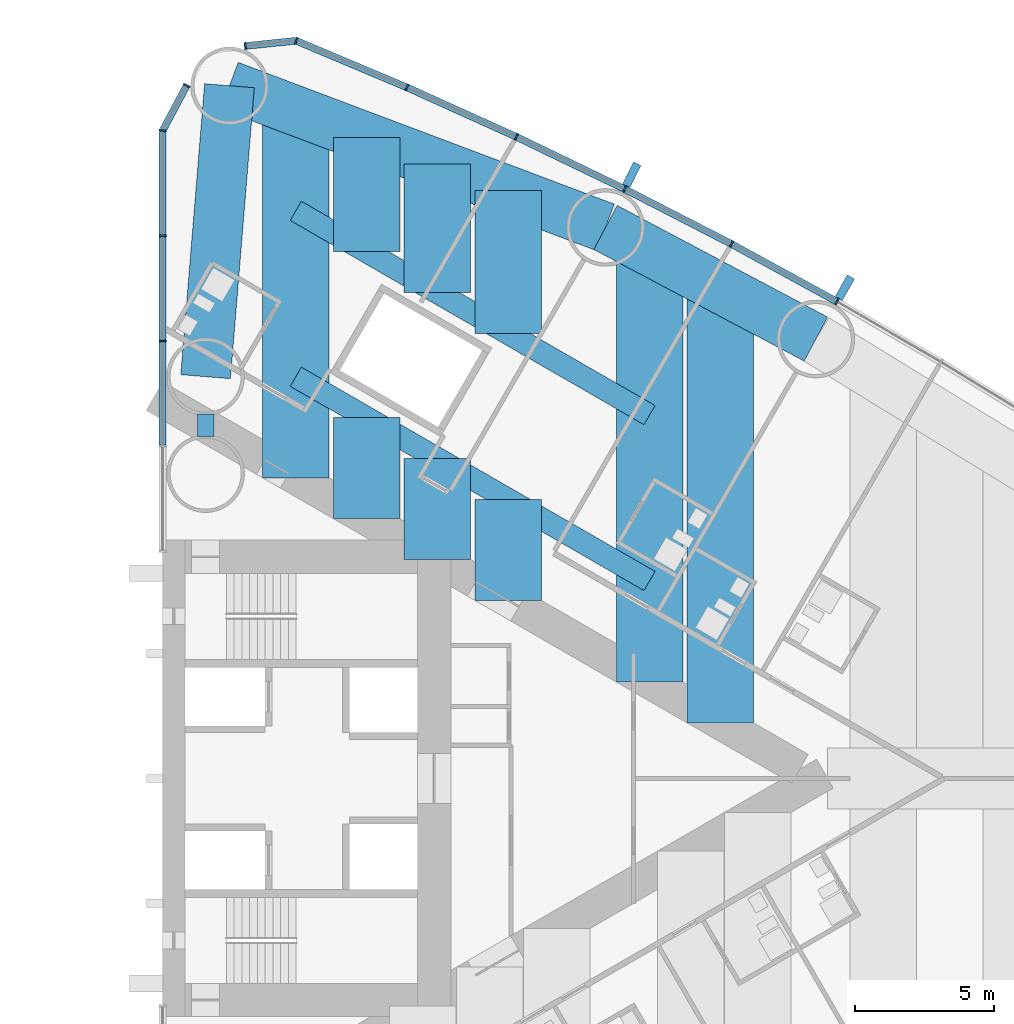
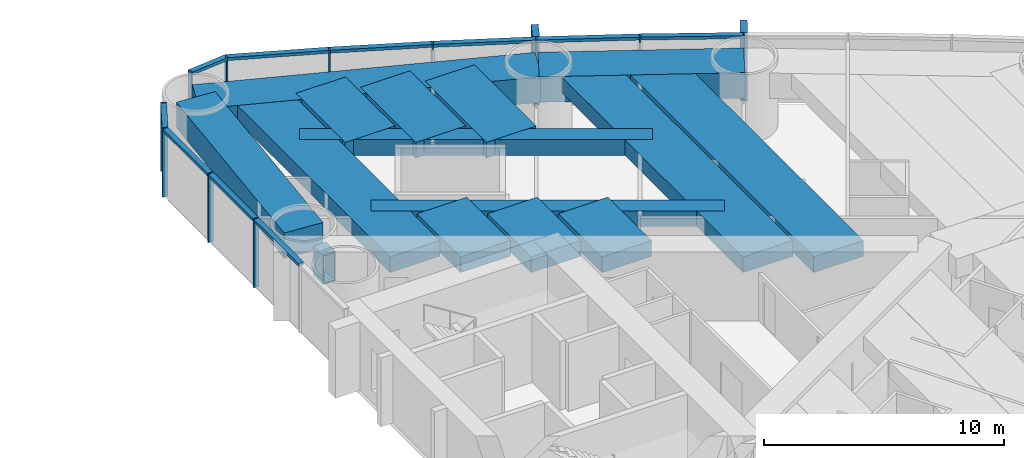
# One storey, part 7 of 19: 23 members, 15 beams, 2 elements without a shape of their own.
"""IFC4 building model written with IfcOpenShell, lengths in metres."""

import ifcopenshell
import ifcopenshell.guid

model = None  # the IFC model being written
_history = None  # IfcOwnerHistory: only IFC2X3 demands one
_inside = {}  # id of a spatial element -> (the spatial element, [elements in it])
_under = {}  # id of a project, library or spatial element -> (it, [spatial elements below it])
_declared = {}  # id of a project -> (the project, [libraries it declares])
_typed = {}  # id of a type object -> (the type object, [elements of that type])
_made_of = {}  # id of a material, layer set ... -> (it, [elements and type objects made of it])


def new_model(schema):
    """Start an empty IFC model of exactly this schema.

    Asked for "IFC4X3", IfcOpenShell would pick the latest addendum, in which some entities
    have other attributes; the version numbers below select the first issue.
    IFC2X3 requires an IfcOwnerHistory on every rooted entity: one is made here for all.
    """
    global model, _history
    if schema == "IFC4X3":
        model = ifcopenshell.file(schema_version=(4, 3, 0, 0))
    else:
        model = ifcopenshell.file(schema=schema)
    _inside.clear()
    _under.clear()
    _declared.clear()
    _typed.clear()
    _made_of.clear()
    _history = None
    if model.schema == "IFC2X3":
        org = make("IfcOrganization", Name="unknown")
        user = make(
            "IfcPersonAndOrganization",
            ThePerson=make("IfcPerson", FamilyName="unknown"),
            TheOrganization=org,
        )
        app = make(
            "IfcApplication",
            ApplicationDeveloper=org,
            Version="unknown",
            ApplicationFullName="unknown",
            ApplicationIdentifier="unknown",
        )
        _history = make(
            "IfcOwnerHistory",
            OwningUser=user,
            OwningApplication=app,
            ChangeAction="ADDED",
            CreationDate=0,
        )
    return model


def make(cls, **values):
    """One entity of the class cls with the attributes given. An attribute that is None is left unset."""
    return model.create_entity(
        cls, **{name: value for name, value in values.items() if value is not None}
    )


def rooted(cls, **values):
    """An entity with a GlobalId (a new one), such as an element, a storey or a relation."""
    return make(cls, GlobalId=ifcopenshell.guid.new(), OwnerHistory=_history, **values)


def si_unit(unit_type, name, prefix=None):
    """IfcSIUnit, for example si_unit("LENGTHUNIT", "METRE", prefix="MILLI")."""
    return make("IfcSIUnit", UnitType=unit_type, Prefix=prefix, Name=name)


def assignment(units):
    """IfcUnitAssignment: the units of a project."""
    return None if units is None else make("IfcUnitAssignment", Units=units)


def point(xyz):
    """IfcCartesianPoint."""
    return None if xyz is None else make("IfcCartesianPoint", Coordinates=xyz)


def direction(xyz):
    """IfcDirection."""
    return None if xyz is None else make("IfcDirection", DirectionRatios=xyz)


def frame(location, z_axis=None, x_axis=None):
    """IfcAxis2Placement3D, a coordinate frame: its origin and axes. An axis left out is left unset."""
    return make(
        "IfcAxis2Placement3D",
        Location=point(location),
        Axis=direction(z_axis),
        RefDirection=direction(x_axis),
    )


def frame_2d(location, x_axis=None):
    """IfcAxis2Placement2D, a coordinate frame in the plane: its origin and x axis."""
    return make(
        "IfcAxis2Placement2D", Location=point(location), RefDirection=direction(x_axis)
    )


def origin():
    """The frame at (0, 0, 0) with its axes left unset."""
    return frame((0.0, 0.0, 0.0))


def origin_2d():
    """The frame at (0, 0) in the plane with its x axis left unset."""
    return frame_2d((0.0, 0.0))


def place(relative_to, where):
    """IfcLocalPlacement: puts the frame where relative to a parent placement (None: the world)."""
    return make(
        "IfcLocalPlacement", PlacementRelTo=relative_to, RelativePlacement=where
    )


def context(
    kind, dimensions, precision=None, world=None, true_north=None, identifier=None
):
    """IfcGeometricRepresentationContext, for example the 3D "Model" context."""
    return make(
        "IfcGeometricRepresentationContext",
        ContextIdentifier=identifier,
        ContextType=kind,
        CoordinateSpaceDimension=dimensions,
        Precision=precision,
        WorldCoordinateSystem=world,
        TrueNorth=true_north,
    )


def subcontext(parent, identifier, kind, view, scale=None):
    """IfcGeometricRepresentationSubContext, for example "Body" below "Model"."""
    return make(
        "IfcGeometricRepresentationSubContext",
        ContextIdentifier=identifier,
        ContextType=kind,
        ParentContext=parent,
        TargetScale=scale,
        TargetView=view,
    )


def project(units=None, contexts=None):
    """IfcProject with its units and contexts."""
    return rooted(
        "IfcProject",
        Name="project",
        RepresentationContexts=contexts,
        UnitsInContext=assignment(units),
    )


def spatial(cls, under=None, at=None, **own):
    """A site, building, storey or space (cls), placed at a placement, below another one or the project."""
    s = rooted(cls, ObjectPlacement=at, **own)
    if under is not None:
        _under.setdefault(under.id(), (under, []))[1].append(s)
    return s


def profile(cls, at=None, kind="AREA", **sizes):
    """A parametric profile (cls). Its sizes go by their IFC names, for example OverallWidth=200.0."""
    return make(cls, ProfileType=kind, Position=at, **sizes)


def rectangle(**sizes):
    """IfcRectangleProfileDef."""
    return profile("IfcRectangleProfileDef", **sizes)


def hollow_rectangle(**sizes):
    """IfcRectangleHollowProfileDef."""
    return profile("IfcRectangleHollowProfileDef", **sizes)


def extrude(swept, where, along, depth):
    """IfcExtrudedAreaSolid: the profile swept, set in the frame where, extruded along a direction by depth."""
    return make(
        "IfcExtrudedAreaSolid",
        SweptArea=swept,
        Position=where,
        ExtrudedDirection=direction(along),
        Depth=depth,
    )


def shape(context_of_items, identifier, shape_type, items):
    """IfcShapeRepresentation: the items that make up one representation, for example the "Body"."""
    return make(
        "IfcShapeRepresentation",
        ContextOfItems=context_of_items,
        RepresentationIdentifier=identifier,
        RepresentationType=shape_type,
        Items=items,
    )


def material(Name=None, Category=None):
    """IfcMaterial."""
    return make("IfcMaterial", Name=Name, Category=Category)


def material_profile(
    of_material, cross_section, Name=None, Category=None, Priority=None
):
    """IfcMaterialProfile: a cross section and its material."""
    return make(
        "IfcMaterialProfile",
        Name=Name,
        Material=of_material,
        Profile=cross_section,
        Priority=Priority,
        Category=Category,
    )


def profile_set(profiles, Name=None, composite=None):
    """IfcMaterialProfileSet."""
    return make(
        "IfcMaterialProfileSet",
        Name=Name,
        MaterialProfiles=profiles,
        CompositeProfile=composite,
    )


def made_of(thing, what):
    """Note that an element or type object is made of a material, layer set ...; save() writes the relation."""
    if what is not None:
        _made_of.setdefault(what.id(), (what, []))[1].append(thing)
    return thing


def type_object(cls, material=None, **own):
    """A type object (cls), such as IfcWallType, which elements share."""
    return made_of(rooted(cls, **own), material)


def element(
    cls,
    number,
    at=None,
    inside=None,
    cuts=None,
    type_object=None,
    material=None,
    context=None,
    identifier="Body",
    shape_type=None,
    held_by="IfcProductDefinitionShape",
    body=None,
    shapes=None,
    **own,
):
    """One element of the class cls, such as IfcWall. Its Tag is "e" and its number.

    at: its placement. inside: the storey or other place that contains it. cuts: it is an
    opening in that element (IfcRelVoidsElement). A single representation is given by context,
    identifier, shape_type and body (its items); several are given by shapes. held_by: the class
    of the entity that holds the representations. save() writes the other relations.
    """
    e = rooted(cls, Tag="e%d" % number, ObjectPlacement=at, **own)
    if body is not None:
        shapes = [shape(context, identifier, shape_type, body)]
    if shapes is not None:
        e.Representation = make(held_by, Representations=shapes)
    if inside is not None:
        _inside.setdefault(inside.id(), (inside, []))[1].append(e)
    if cuts is not None:
        rooted(
            "IfcRelVoidsElement", RelatingBuildingElement=cuts, RelatedOpeningElement=e
        )
    if type_object is not None:
        _typed.setdefault(type_object.id(), (type_object, []))[1].append(e)
    return made_of(e, material)


def aggregate(whole, parts):
    """IfcRelAggregates: a whole, such as a stair, and the parts it consists of."""
    return rooted("IfcRelAggregates", RelatingObject=whole, RelatedObjects=parts)


def save(model, path):
    """Write the relations noted so far, then the file.

    IfcRelAggregates (storeys below a building ...), IfcRelContainedInSpatialStructure (elements
    in a storey), IfcRelDefinesByType, IfcRelAssociatesMaterial and IfcRelDeclares: one each for
    every whole, place, type object, material and project.
    """
    for whole, parts in _under.values():
        aggregate(whole, parts)
    for where, things in _inside.values():
        rooted(
            "IfcRelContainedInSpatialStructure",
            RelatedElements=things,
            RelatingStructure=where,
        )
    for kind, things in _typed.values():
        rooted("IfcRelDefinesByType", RelatedObjects=things, RelatingType=kind)
    for what, things in _made_of.values():
        rooted("IfcRelAssociatesMaterial", RelatedObjects=things, RelatingMaterial=what)
    for by, libraries in _declared.values():
        rooted("IfcRelDeclares", RelatingContext=by, RelatedDefinitions=libraries)
    model.write(path)


model = new_model("IFC4")

# Units and contexts
model_context = context("Model", 3, precision=1e-05, world=origin(), true_north=direction((0.0, 1.0)))
body_context = subcontext(model_context, "Body", "Model", "MODEL_VIEW")
ifc_project = project(units=[si_unit("LENGTHUNIT", "METRE"), si_unit("AREAUNIT", "SQUARE_METRE"), si_unit("VOLUMEUNIT", "CUBIC_METRE"), si_unit("PLANEANGLEUNIT", "RADIAN"), si_unit("MASSUNIT", "GRAM", prefix="KILO")], contexts=[model_context])

# Site, building, storey
site_placement = place(None, origin())
site = spatial("IfcSite", under=ifc_project, at=site_placement, CompositionType="ELEMENT")
building_placement = place(site_placement, origin())
building = spatial("IfcBuilding", under=site, at=building_placement, Name="Lancet Gate Hotel", CompositionType="ELEMENT")
storey_placement = place(building_placement, frame((0.0, 0.0, 35.5)))
storey = spatial("IfcBuildingStorey", under=building, at=storey_placement, Name="L08", CompositionType="ELEMENT", Elevation=35.5)

# Curtain wall, members
ifc_material_1 = material(Name="Aluminium curtain wall", Category="aluminium")
curtain_wall_type = type_object("IfcCurtainWallType", Name="Tower unitised curtain wall", PredefinedType="USERDEFINED", material=ifc_material_1)
curtain_wall_1_placement = place(storey_placement, origin())
curtain_wall_1 = element("IfcCurtainWall", 1, at=curtain_wall_1_placement, inside=storey, type_object=curtain_wall_type, Name="T2 L08 curtain wall 3", ObjectType="UNITISED CURTAIN WALL", PredefinedType="USERDEFINED")
ifc_material_2 = material(Name="Aluminium mullion", Category="aluminium")
ifc_material_profile_1 = material_profile(ifc_material_2, rectangle(XDim=0.06494140625, YDim=0.25, at=origin_2d()), Name="MULLION 65x250")
ifc_profile_set_1 = profile_set([ifc_material_profile_1], Name="Aluminium mullion")
member_type_1 = type_object("IfcMemberType", Name="Aluminium mullion 65x250", PredefinedType="MULLION", material=ifc_profile_set_1)
member_1_placement = place(storey_placement, frame((51.838623046875, 17.208740234375, 0.0), z_axis=(0.0, 0.0, 1.0), x_axis=(-0.871190450382, 0.490945209941, 0.0)))
member_1 = element("IfcMember", 2, at=member_1_placement, type_object=member_type_1, Name="T2 L08 curtain wall 3 mullion 8", PredefinedType="MULLION", context=body_context, shape_type="SweptSolid", body=[
    extrude(rectangle(XDim=0.06494140625, YDim=0.25, at=origin_2d()), origin(), (0.0, 0.0, 1.0), 3.5),
])
member_2_placement = place(storey_placement, frame((48.03271484375, 19.2900390625, 0.0), z_axis=(0.0, 0.0, 1.0), x_axis=(-0.88340346743, 0.468613181347, 0.0)))
member_2 = element("IfcMember", 3, at=member_2_placement, type_object=member_type_1, Name="T2 L08 curtain wall 3 mullion 9", PredefinedType="MULLION", context=body_context, shape_type="SweptSolid", body=[
    extrude(rectangle(XDim=0.06494140625, YDim=0.25, at=origin_2d()), origin(), (0.0, 0.0, 1.0), 3.5),
])
member_3_placement = place(storey_placement, frame((44.17529296875, 21.273681640625, 0.0), z_axis=(0.0, 0.0, 1.0), x_axis=(-0.895044147438, 0.445977548917, 0.0)))
member_3 = element("IfcMember", 4, at=member_3_placement, type_object=member_type_1, Name="T2 L08 curtain wall 3 mullion 10", PredefinedType="MULLION", context=body_context, shape_type="SweptSolid", body=[
    extrude(rectangle(XDim=0.06494140625, YDim=0.25, at=origin_2d()), origin(), (0.0, 0.0, 1.0), 3.5),
])
member_4_placement = place(storey_placement, frame((40.2685546875, 23.15869140625, 0.0), z_axis=(0.0, 0.0, 1.0), x_axis=(-0.906104948671, 0.423052977762, 0.0)))
member_4 = element("IfcMember", 5, at=member_4_placement, type_object=member_type_1, Name="T2 L08 curtain wall 3 mullion 11", PredefinedType="MULLION", context=body_context, shape_type="SweptSolid", body=[
    extrude(rectangle(XDim=0.06494140625, YDim=0.25, at=origin_2d()), origin(), (0.0, 0.0, 1.0), 3.5),
])
member_5_placement = place(storey_placement, frame((36.31494140625, 24.943603515625, 0.0), z_axis=(0.0, 0.0, 1.0), x_axis=(-0.916578705089, 0.399854320193, 0.0)))
member_5 = element("IfcMember", 6, at=member_5_placement, type_object=member_type_1, Name="T2 L08 curtain wall 3 mullion 12", PredefinedType="MULLION", context=body_context, shape_type="SweptSolid", body=[
    extrude(rectangle(XDim=0.06494140625, YDim=0.25, at=origin_2d()), origin(), (0.0, 0.0, 1.0), 3.5),
])
member_6_placement = place(storey_placement, frame((32.3173828125, 26.62744140625, 0.0), z_axis=(0.0, 0.0, 1.0), x_axis=(-0.968721492963, 0.248150496819, 0.0)))
member_6 = element("IfcMember", 7, at=member_6_placement, type_object=member_type_1, Name="T2 L08 curtain wall 3 mullion 13", PredefinedType="MULLION", context=body_context, shape_type="SweptSolid", body=[
    extrude(rectangle(XDim=0.06494140625, YDim=0.25, at=origin_2d()), origin(), (0.0, 0.0, 1.0), 3.5),
])
member_7_placement = place(storey_placement, frame((30.48388671875, 26.4375, 0.0), z_axis=(0.0, 0.0, 1.0), x_axis=(-0.994672262412, -0.10308778001, 0.0)))
member_7 = element("IfcMember", 8, at=member_7_placement, type_object=member_type_1, Name="T2 L08 curtain wall 3 mullion 14", PredefinedType="MULLION", context=body_context, shape_type="SweptSolid", body=[
    extrude(rectangle(XDim=0.06494140625, YDim=0.25, at=origin_2d()), origin(), (0.0, 0.0, 1.0), 3.5),
])

curtain_wall_2_placement = place(storey_placement, origin())
curtain_wall_2 = element("IfcCurtainWall", 9, at=curtain_wall_2_placement, inside=storey, type_object=curtain_wall_type, Name="T2 L08 curtain wall 4", ObjectType="UNITISED CURTAIN WALL", PredefinedType="USERDEFINED")
member_8_placement = place(storey_placement, frame((28.366455078125, 25.012451171875, 0.0), z_axis=(0.0, 0.0, 1.0), x_axis=(-0.469897827284, -0.882720811987, 0.0)))
member_8 = element("IfcMember", 10, at=member_8_placement, type_object=member_type_1, Name="T2 L08 curtain wall 4 mullion 1", PredefinedType="MULLION", context=body_context, shape_type="SweptSolid", body=[
    extrude(rectangle(XDim=0.06494140625, YDim=0.25, at=origin_2d()), origin(), (0.0, 0.0, 1.0), 3.5),
])
member_9_placement = place(storey_placement, frame((27.5, 23.384765625, 0.0), z_axis=(0.0, 0.0, 1.0), x_axis=(-0.157751691459, -0.987478811844, 0.0)))
member_9 = element("IfcMember", 11, at=member_9_placement, type_object=member_type_1, Name="T2 L08 curtain wall 4 mullion 2", PredefinedType="MULLION", context=body_context, shape_type="SweptSolid", body=[
    extrude(rectangle(XDim=0.06494140625, YDim=0.25, at=origin_2d()), origin(), (0.0, 0.0, 1.0), 3.5),
])
member_10_placement = place(storey_placement, frame((27.5, 19.588623046875, 0.0), z_axis=(0.0, 0.0, 1.0), x_axis=(0.0, -1.0, 0.0)))
member_10 = element("IfcMember", 12, at=member_10_placement, type_object=member_type_1, Name="T2 L08 curtain wall 4 mullion 3", PredefinedType="MULLION", context=body_context, shape_type="SweptSolid", body=[
    extrude(rectangle(XDim=0.06494140625, YDim=0.25, at=origin_2d()), origin(), (0.0, 0.0, 1.0), 3.5),
])
member_11_placement = place(storey_placement, frame((27.5, 15.79248046875, 0.0), z_axis=(0.0, 0.0, 1.0), x_axis=(0.0, -1.0, 0.0)))
member_11 = element("IfcMember", 13, at=member_11_placement, type_object=member_type_1, Name="T2 L08 curtain wall 4 mullion 4", PredefinedType="MULLION", context=body_context, shape_type="SweptSolid", body=[
    extrude(rectangle(XDim=0.06494140625, YDim=0.25, at=origin_2d()), origin(), (0.0, 0.0, 1.0), 3.5),
])

# Member
ifc_material_3 = material(Name="Aluminium transom", Category="aluminium")
ifc_material_profile_2 = material_profile(ifc_material_3, rectangle(XDim=0.25, YDim=0.14990234375, at=origin_2d()), Name="TRANSOM 250x150")
ifc_profile_set_2 = profile_set([ifc_material_profile_2], Name="Aluminium transom")
member_type_2 = type_object("IfcMemberType", Name="Aluminium transom 250x150", PredefinedType="USERDEFINED", material=ifc_profile_set_2)
member_12_placement = place(storey_placement, frame((51.81005859375, 17.224365234375, 3.425048828125), z_axis=(-0.877377528879, 0.479800658417, 0.0), x_axis=(-0.479800658417, -0.877377528879, 0.0)))
member_12 = element("IfcMember", 14, at=member_12_placement, type_object=member_type_2, Name="T2 L08 curtain wall 3 transom 8", ObjectType="TRANSOM", PredefinedType="USERDEFINED", context=body_context, shape_type="SweptSolid", body=[
    extrude(rectangle(XDim=0.25, YDim=0.14990234375, at=origin_2d()), origin(), (0.0, 0.0, 1.0), 4.272705078125),
])

member_13_placement = place(storey_placement, frame((48.00390625, 19.304931640625, 3.425048828125), z_axis=(-0.88929576978, 0.457332520002, 0.0), x_axis=(-0.457332520002, -0.88929576978, 0.0)))
member_13 = element("IfcMember", 15, at=member_13_placement, type_object=member_type_2, Name="T2 L08 curtain wall 3 transom 9", ObjectType="TRANSOM", PredefinedType="USERDEFINED", context=body_context, shape_type="SweptSolid", body=[
    extrude(rectangle(XDim=0.25, YDim=0.14990234375, at=origin_2d()), origin(), (0.0, 0.0, 1.0), 4.272705078125),
])

member_14_placement = place(storey_placement, frame((44.14599609375, 21.287841796875, 3.425048828125), z_axis=(-0.900646499888, 0.434552508035, 0.0), x_axis=(-0.434552508035, -0.900646499888, 0.0)))
member_14 = element("IfcMember", 16, at=member_14_placement, type_object=member_type_2, Name="T2 L08 curtain wall 3 transom 10", ObjectType="TRANSOM", PredefinedType="USERDEFINED", context=body_context, shape_type="SweptSolid", body=[
    extrude(rectangle(XDim=0.25, YDim=0.14990234375, at=origin_2d()), origin(), (0.0, 0.0, 1.0), 4.272705078125),
])

member_15_placement = place(storey_placement, frame((40.23876953125, 23.172119140625, 3.425048828125), z_axis=(-0.911396871737, 0.411528543589, 0.0), x_axis=(-0.411528543589, -0.911396871737, 0.0)))
member_15 = element("IfcMember", 17, at=member_15_placement, type_object=member_type_2, Name="T2 L08 curtain wall 3 transom 11", ObjectType="TRANSOM", PredefinedType="USERDEFINED", context=body_context, shape_type="SweptSolid", body=[
    extrude(rectangle(XDim=0.25, YDim=0.14990234375, at=origin_2d()), origin(), (0.0, 0.0, 1.0), 4.272705078125),
])

member_16_placement = place(storey_placement, frame((36.28515625, 24.956298828125, 3.425048828125), z_axis=(-0.92159772617, 0.388146404233, 0.0), x_axis=(-0.388146404233, -0.92159772617, 0.0)))
member_16 = element("IfcMember", 18, at=member_16_placement, type_object=member_type_2, Name="T2 L08 curtain wall 3 transom 12", ObjectType="TRANSOM", PredefinedType="USERDEFINED", context=body_context, shape_type="SweptSolid", body=[
    extrude(rectangle(XDim=0.25, YDim=0.14990234375, at=origin_2d()), origin(), (0.0, 0.0, 1.0), 4.272705078125),
])

member_17_placement = place(storey_placement, frame((32.28515625, 26.6240234375, 3.425048828125), z_axis=(-0.994670452051, -0.103105246306, 0.0), x_axis=(0.103105246306, -0.994670452051, 0.0)))
member_17 = element("IfcMember", 19, at=member_17_placement, type_object=member_type_2, Name="T2 L08 curtain wall 3 transom 13", ObjectType="TRANSOM", PredefinedType="USERDEFINED", context=body_context, shape_type="SweptSolid", body=[
    extrude(rectangle(XDim=0.25, YDim=0.14990234375, at=origin_2d()), origin(), (0.0, 0.0, 1.0), 1.7783203125),
])

member_18_placement = place(storey_placement, frame((28.351318359375, 24.98388671875, 3.425048828125), z_axis=(-0.469904276347, -0.882717378933, 0.0), x_axis=(0.882717378933, -0.469904276347, 0.0)))
member_18 = element("IfcMember", 20, at=member_18_placement, type_object=member_type_2, Name="T2 L08 curtain wall 4 transom 1", ObjectType="TRANSOM", PredefinedType="USERDEFINED", context=body_context, shape_type="SweptSolid", body=[
    extrude(rectangle(XDim=0.25, YDim=0.14990234375, at=origin_2d()), origin(), (0.0, 0.0, 1.0), 1.779052734375),
])

member_19_placement = place(storey_placement, frame((27.5, 23.352294921875, 3.425048828125), z_axis=(0.0, -1.0, 0.0), x_axis=(1.0, 0.0, 0.0)))
member_19 = element("IfcMember", 21, at=member_19_placement, type_object=member_type_2, Name="T2 L08 curtain wall 4 transom 2", ObjectType="TRANSOM", PredefinedType="USERDEFINED", context=body_context, shape_type="SweptSolid", body=[
    extrude(rectangle(XDim=0.25, YDim=0.14990234375, at=origin_2d()), origin(), (0.0, 0.0, 1.0), 3.731201171875),
])

member_20_placement = place(storey_placement, frame((27.5, 19.55615234375, 3.425048828125), z_axis=(0.0, -1.0, 0.0), x_axis=(1.0, 0.0, 0.0)))
member_20 = element("IfcMember", 22, at=member_20_placement, type_object=member_type_2, Name="T2 L08 curtain wall 4 transom 3", ObjectType="TRANSOM", PredefinedType="USERDEFINED", context=body_context, shape_type="SweptSolid", body=[
    extrude(rectangle(XDim=0.25, YDim=0.14990234375, at=origin_2d()), origin(), (0.0, 0.0, 1.0), 3.731201171875),
])

member_21_placement = place(storey_placement, frame((27.5, 15.760009765625, 3.425048828125), z_axis=(0.0, -1.0, 0.0), x_axis=(1.0, 0.0, 0.0)))
member_21 = element("IfcMember", 23, at=member_21_placement, type_object=member_type_2, Name="T2 L08 curtain wall 4 transom 4", ObjectType="TRANSOM", PredefinedType="USERDEFINED", context=body_context, shape_type="SweptSolid", body=[
    extrude(rectangle(XDim=0.25, YDim=0.14990234375, at=origin_2d()), origin(), (0.0, 0.0, 1.0), 3.731201171875),
])

aggregate(curtain_wall_2, [member_8, member_9, member_10, member_11, member_18, member_19, member_20, member_21])

# Beams
ifc_material_4 = material(Name="Concrete C50/60", Category="concrete")
ifc_material_profile_3 = material_profile(ifc_material_4, rectangle(XDim=1.800048828125, YDim=1.300048828125, at=origin_2d()), Name="RC 1800x1300")
ifc_profile_set_3 = profile_set([ifc_material_profile_3], Name="Concrete C50/60")
beam_type_1 = type_object("IfcBeamType", Name="Edge beam RC 1800x1300", PredefinedType="SPANDREL", material=ifc_profile_set_3)
beam_1_placement = place(storey_placement, frame((51.07763671875, 15.8583984375, 2.60009765625), z_axis=(-0.883403493655, 0.46861313191, 0.0), x_axis=(-0.46861313191, -0.883403493655, 0.0)))
element("IfcBeam", 24, at=beam_1_placement, inside=storey, type_object=beam_type_1, Name="T2 edge beam EB1 L08", PredefinedType="SPANDREL", context=body_context, shape_type="SweptSolid", body=[
    extrude(rectangle(XDim=1.800048828125, YDim=1.300048828125, at=origin_2d()), origin(), (0.0, 0.0, 1.0), 8.595703125),
])
beam_2_placement = place(storey_placement, frame((43.484130859375, 19.886474609375, 2.60009765625), z_axis=(-0.935736448066, 0.352700013836, 0.0), x_axis=(-0.352700013836, -0.935736448066, 0.0)))
element("IfcBeam", 25, at=beam_2_placement, inside=storey, type_object=beam_type_1, Name="T2 edge beam EB1 L08", PredefinedType="SPANDREL", context=body_context, shape_type="SweptSolid", body=[
    extrude(rectangle(XDim=1.800048828125, YDim=1.300048828125, at=origin_2d()), origin(), (0.0, 0.0, 1.0), 14.505126953125),
])
beam_3_placement = place(storey_placement, frame((29.050048828125, 14.5, 2.60009765625), z_axis=(0.081714744052, 0.996655758326, 0.0), x_axis=(-0.996655758326, 0.081714744052, 0.0)))
element("IfcBeam", 26, at=beam_3_placement, inside=storey, type_object=beam_type_1, Name="T2 edge beam EB1 L08", PredefinedType="SPANDREL", context=body_context, shape_type="SweptSolid", body=[
    extrude(rectangle(XDim=1.800048828125, YDim=1.300048828125, at=origin_2d()), origin(), (0.0, 0.0, 1.0), 10.53759765625),
])

# Member
ifc_material_5 = material(Name="Precast concrete C50/60", Category="concrete")
ifc_material_profile_4 = material_profile(ifc_material_5, rectangle(XDim=0.300048828125, YDim=0.89990234375, at=origin_2d()), Name="FIN 300x900")
ifc_profile_set_4 = profile_set([ifc_material_profile_4], Name="Precast concrete C50/60")
member_type_3 = type_object("IfcMemberType", Name="Exposed concrete fin 300x900", PredefinedType="USERDEFINED", material=ifc_profile_set_4)
member_22_placement = place(storey_placement, frame((52.120849609375, 17.709716796875, 0.0), z_axis=(0.0, 0.0, 1.0), x_axis=(-0.871190450382, 0.490945209941, 0.0)))
member_22 = element("IfcMember", 27, at=member_22_placement, type_object=member_type_3, Name="T2 L08 curtain wall 3 fin 8", ObjectType="FIN", PredefinedType="USERDEFINED", context=body_context, shape_type="SweptSolid", body=[
    extrude(rectangle(XDim=0.300048828125, YDim=0.89990234375, at=origin_2d()), origin(), (0.0, 0.0, 1.0), 3.5),
])

member_23_placement = place(storey_placement, frame((44.431640625, 21.788330078125, 0.0), z_axis=(0.0, 0.0, 1.0), x_axis=(-0.895044147438, 0.445977548917, 0.0)))
member_23 = element("IfcMember", 28, at=member_23_placement, type_object=member_type_3, Name="T2 L08 curtain wall 3 fin 10", ObjectType="FIN", PredefinedType="USERDEFINED", context=body_context, shape_type="SweptSolid", body=[
    extrude(rectangle(XDim=0.300048828125, YDim=0.89990234375, at=origin_2d()), origin(), (0.0, 0.0, 1.0), 3.5),
])

aggregate(curtain_wall_1, [member_1, member_22, member_2, member_3, member_23, member_4, member_5, member_6, member_7, member_12, member_13, member_14, member_15, member_16, member_17])

# Beams
ifc_material_6 = material(Name="Concrete C50/60", Category="concrete")
ifc_material_profile_5 = material_profile(ifc_material_6, rectangle(XDim=2.39990234375, YDim=0.800048828125, at=origin_2d()), Name="RC 2400x800")
ifc_profile_set_5 = profile_set([ifc_material_profile_5], Name="Concrete C50/60")
beam_type_2 = type_object("IfcBeamType", Name="Floor beam RC 2400x800", PredefinedType="BEAM", material=ifc_profile_set_5)
beam_4_placement = place(storey_placement, frame((32.306396484375, 10.851806640625, 2.85009765625), z_axis=(0.0, 1.0, 0.0), x_axis=(-1.0, 0.0, 0.0)))
element("IfcBeam", 29, at=beam_4_placement, inside=storey, type_object=beam_type_2, Name="T2 floor beam F04N L08", PredefinedType="BEAM", context=body_context, shape_type="SweptSolid", body=[
    extrude(rectangle(XDim=2.39990234375, YDim=0.800048828125, at=origin_2d()), origin(), (0.0, 0.0, 1.0), 13.247802734375),
])
beam_5_placement = place(storey_placement, frame((45.072265625, 3.4814453125, 2.85009765625), z_axis=(0.0, 1.0, 0.0), x_axis=(-1.0, 0.0, 0.0)))
element("IfcBeam", 30, at=beam_5_placement, inside=storey, type_object=beam_type_2, Name="T2 floor beam F12N L08", PredefinedType="BEAM", context=body_context, shape_type="SweptSolid", body=[
    extrude(rectangle(XDim=2.39990234375, YDim=0.800048828125, at=origin_2d()), origin(), (0.0, 0.0, 1.0), 15.5625),
])
beam_6_placement = place(storey_placement, frame((47.62548828125, 2.00732421875, 2.85009765625), z_axis=(0.0, 1.0, 0.0), x_axis=(-1.0, 0.0, 0.0)))
element("IfcBeam", 31, at=beam_6_placement, inside=storey, type_object=beam_type_2, Name="T2 floor beam F14N L08", PredefinedType="BEAM", context=body_context, shape_type="SweptSolid", body=[
    extrude(rectangle(XDim=2.39990234375, YDim=0.800048828125, at=origin_2d()), origin(), (0.0, 0.0, 1.0), 15.68212890625),
])
beam_7_placement = place(storey_placement, frame((34.859619140625, 9.377685546875, 2.85009765625), z_axis=(0.0, 1.0, 0.0), x_axis=(-1.0, 0.0, 0.0)))
element("IfcBeam", 32, at=beam_7_placement, inside=storey, type_object=beam_type_2, Name="T2 floor beam F06NA L08", PredefinedType="BEAM", context=body_context, shape_type="SweptSolid", body=[
    extrude(rectangle(XDim=2.39990234375, YDim=0.800048828125, at=origin_2d()), origin(), (0.0, 0.0, 1.0), 3.645751953125),
])
beam_8_placement = place(storey_placement, frame((34.859619140625, 19.011474609375, 2.85009765625), z_axis=(0.0, 1.0, 0.0), x_axis=(-1.0, 0.0, 0.0)))
element("IfcBeam", 33, at=beam_8_placement, inside=storey, type_object=beam_type_2, Name="T2 floor beam F06NB L08", PredefinedType="BEAM", context=body_context, shape_type="SweptSolid", body=[
    extrude(rectangle(XDim=2.39990234375, YDim=0.800048828125, at=origin_2d()), origin(), (0.0, 0.0, 1.0), 4.125732421875),
])
beam_9_placement = place(storey_placement, frame((37.412841796875, 7.903564453125, 2.85009765625), z_axis=(0.0, 1.0, 0.0), x_axis=(-1.0, 0.0, 0.0)))
element("IfcBeam", 34, at=beam_9_placement, inside=storey, type_object=beam_type_2, Name="T2 floor beam F08NA L08", PredefinedType="BEAM", context=body_context, shape_type="SweptSolid", body=[
    extrude(rectangle(XDim=2.39990234375, YDim=0.800048828125, at=origin_2d()), origin(), (0.0, 0.0, 1.0), 3.6455078125),
])
beam_10_placement = place(storey_placement, frame((37.412841796875, 17.537109375, 2.85009765625), z_axis=(0.0, 1.0, 0.0), x_axis=(-1.0, 0.0, 0.0)))
element("IfcBeam", 35, at=beam_10_placement, inside=storey, type_object=beam_type_2, Name="T2 floor beam F08NB L08", PredefinedType="BEAM", context=body_context, shape_type="SweptSolid", body=[
    extrude(rectangle(XDim=2.39990234375, YDim=0.800048828125, at=origin_2d()), origin(), (0.0, 0.0, 1.0), 4.6376953125),
])
beam_11_placement = place(storey_placement, frame((39.9658203125, 6.429443359375, 2.85009765625), z_axis=(0.0, 1.0, 0.0), x_axis=(-1.0, 0.0, 0.0)))
element("IfcBeam", 36, at=beam_11_placement, inside=storey, type_object=beam_type_2, Name="T2 floor beam F10NA L08", PredefinedType="BEAM", context=body_context, shape_type="SweptSolid", body=[
    extrude(rectangle(XDim=2.39990234375, YDim=0.800048828125, at=origin_2d()), origin(), (0.0, 0.0, 1.0), 3.64501953125),
])
beam_12_placement = place(storey_placement, frame((39.9658203125, 16.062744140625, 2.85009765625), z_axis=(0.0, 1.0, 0.0), x_axis=(-1.0, 0.0, 0.0)))
element("IfcBeam", 37, at=beam_12_placement, inside=storey, type_object=beam_type_2, Name="T2 floor beam F10NB L08", PredefinedType="BEAM", context=body_context, shape_type="SweptSolid", body=[
    extrude(rectangle(XDim=2.39990234375, YDim=0.800048828125, at=origin_2d()), origin(), (0.0, 0.0, 1.0), 5.14990234375),
])
ifc_material_7 = material(Name="Steel S460QL", Category="steel")
ifc_material_profile_6 = material_profile(ifc_material_7, hollow_rectangle(XDim=0.60009765625, YDim=1.5, WallThickness=0.050048828125, at=origin_2d()), Name="BOX 1500x600x50")
ifc_profile_set_6 = profile_set([ifc_material_profile_6], Name="Steel S460QL")
beam_type_3 = type_object("IfcBeamType", Name="Inner-face link beam BOX 1500x600x50", PredefinedType="BEAM", material=ifc_profile_set_6)
beam_13_placement = place(storey_placement, frame((29.050048828125, 12.35009765625, 2.5), z_axis=(0.0, 1.0, 0.0), x_axis=(-1.0, 0.0, 0.0)))
element("IfcBeam", 38, at=beam_13_placement, inside=storey, type_object=beam_type_3, Name="T2 inner-face link beam LK1 L08", PredefinedType="BEAM", context=body_context, shape_type="SweptSolid", body=[
    extrude(hollow_rectangle(XDim=0.60009765625, YDim=1.5, WallThickness=0.050048828125, at=origin_2d()), origin(), (0.0, 0.0, 1.0), 0.7998046875),
])
ifc_material_8 = material(Name="Steel S460QL", Category="steel")
ifc_material_profile_7 = material_profile(ifc_material_8, hollow_rectangle(XDim=0.800048828125, YDim=0.800048828125, WallThickness=0.080078125, at=origin_2d()), Name="BOX 800x800x80")
ifc_profile_set_7 = profile_set([ifc_material_profile_7], Name="Steel S460QL")
beam_type_4 = type_object("IfcBeamType", Name="Trimmer beam BOX 800x800x80", PredefinedType="BEAM", material=ifc_profile_set_7)
beam_14_placement = place(storey_placement, frame((32.306396484375, 20.48583984375, 2.85009765625), z_axis=(0.86598286195, -0.500073677381, 0.0), x_axis=(0.500073677381, 0.86598286195, 0.0)))
element("IfcBeam", 39, at=beam_14_placement, inside=storey, type_object=beam_type_4, Name="T2 trimmer beam TR03N L08", PredefinedType="BEAM", context=body_context, shape_type="SweptSolid", body=[
    extrude(hollow_rectangle(XDim=0.800048828125, YDim=0.800048828125, WallThickness=0.080078125, at=origin_2d()), origin(), (0.0, 0.0, 1.0), 14.741455078125),
])
beam_15_placement = place(storey_placement, frame((32.306396484375, 14.497802734375, 2.85009765625), z_axis=(0.865975689888, -0.500086097111, 0.0), x_axis=(0.500086097111, 0.865975689888, 0.0)))
element("IfcBeam", 40, at=beam_15_placement, inside=storey, type_object=beam_type_4, Name="T2 trimmer beam TR04N L08", PredefinedType="BEAM", context=body_context, shape_type="SweptSolid", body=[
    extrude(hollow_rectangle(XDim=0.800048828125, YDim=0.800048828125, WallThickness=0.080078125, at=origin_2d()), origin(), (0.0, 0.0, 1.0), 14.74169921875),
])

save(model, "model.ifc")
